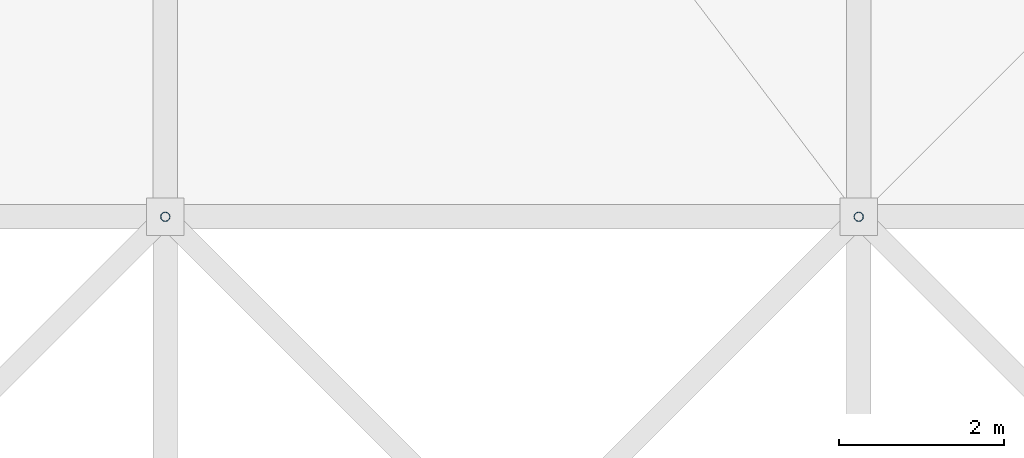
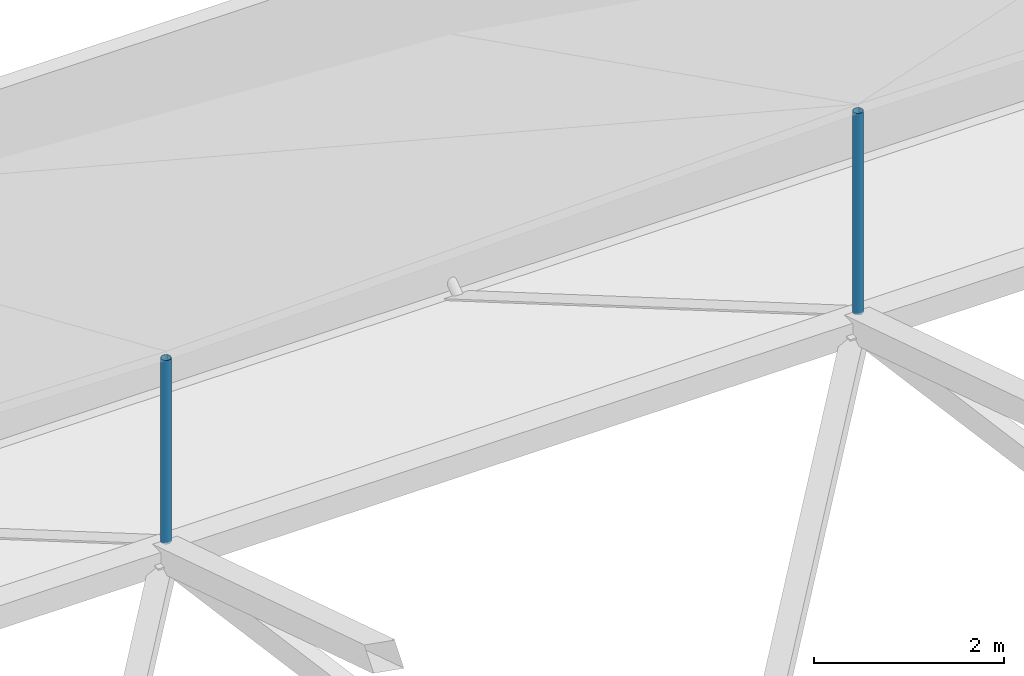
# One storey, part 99 of 111: 2 discrete accessories.
"""IFC4 building model written with IfcOpenShell, lengths in metres."""

from ifc_helpers import new_model, si_unit, direction, frame, origin, origin_2d, place, context, subcontext, project, spatial, hollow_circle, extrude, material, material_profile, profile_set, type_object, element, save


model = new_model("IFC4")

# Units and contexts
model_context = context("Model", 3, precision=1e-05, world=origin(), true_north=direction((0.0, 1.0)))
body_context = subcontext(model_context, "Body", "Model", "MODEL_VIEW")
ifc_project = project(units=[si_unit("LENGTHUNIT", "METRE"), si_unit("AREAUNIT", "SQUARE_METRE"), si_unit("VOLUMEUNIT", "CUBIC_METRE"), si_unit("PLANEANGLEUNIT", "RADIAN"), si_unit("MASSUNIT", "GRAM", prefix="KILO")], contexts=[model_context])

# Site, building, storey
site_placement = place(None, origin())
site = spatial("IfcSite", under=ifc_project, at=site_placement, CompositionType="ELEMENT")
building_placement = place(site_placement, origin())
building = spatial("IfcBuilding", under=site, at=building_placement, Name="Rain Tree Exposition and Congress Centre", CompositionType="ELEMENT")
storey_placement = place(building_placement, frame((0.0, 0.0, 19.5)))
storey = spatial("IfcBuildingStorey", under=building, at=storey_placement, Name="RF", CompositionType="ELEMENT", Elevation=19.5)

# Discrete accessories
ifc_material = material(Name="Steel S355J2H", Category="steel")
ifc_material_profile = material_profile(ifc_material, hollow_circle(Radius=0.05712890625, WallThickness=0.00439453125, at=origin_2d()), Name="CHS 114x4.5")
ifc_profile_set = profile_set([ifc_material_profile], Name="Steel S355J2H")
discrete_accessory_type = type_object("IfcDiscreteAccessoryType", Name="Roof skin post CHS 114x4.5", PredefinedType="BRACKET", material=ifc_profile_set)
discrete_accessory_1_placement = place(storey_placement, frame((226.800048828125, 193.199951171875, 5.39404296875), z_axis=(0.0, 0.0, 1.0), x_axis=(1.0, 0.0, 0.0)))
element("IfcDiscreteAccessory", 1, at=discrete_accessory_1_placement, inside=storey, type_object=discrete_accessory_type, Name="Roof skin post B154", PredefinedType="BRACKET", context=body_context, shape_type="SweptSolid", body=[
    extrude(hollow_circle(Radius=0.05712890625, WallThickness=0.00439453125, at=origin_2d()), origin(), (0.0, 0.0, 1.0), 2.35791015625),
])
discrete_accessory_2_placement = place(storey_placement, frame((235.199951171875, 193.199951171875, 5.39404296875), z_axis=(0.0, 0.0, 1.0), x_axis=(1.0, 0.0, 0.0)))
element("IfcDiscreteAccessory", 2, at=discrete_accessory_2_placement, inside=storey, type_object=discrete_accessory_type, Name="Roof skin post B155", PredefinedType="BRACKET", context=body_context, shape_type="SweptSolid", body=[
    extrude(hollow_circle(Radius=0.05712890625, WallThickness=0.00439453125, at=origin_2d()), origin(), (0.0, 0.0, 1.0), 2.587158203125),
])

save(model, "model.ifc")
